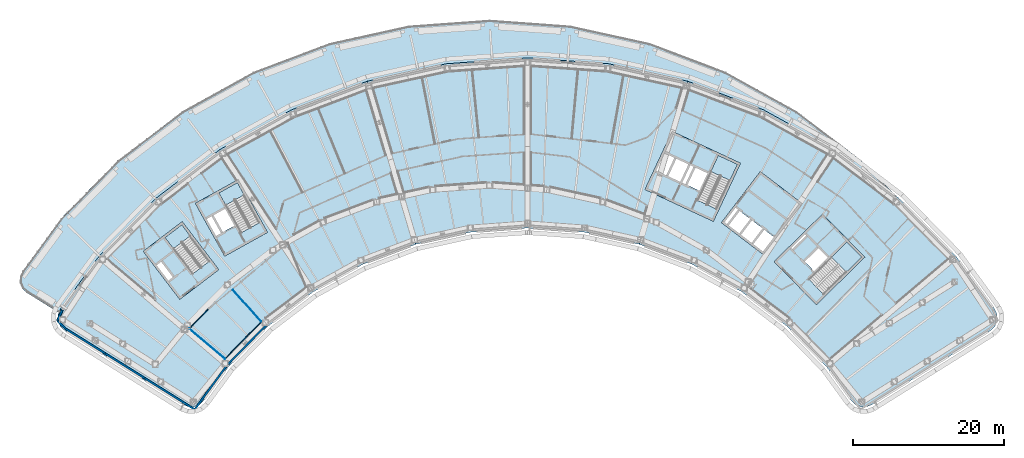
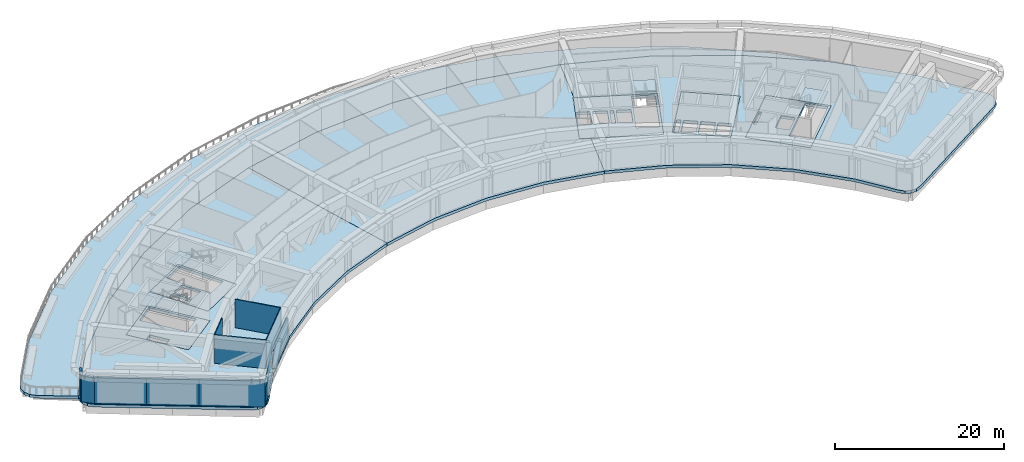
# One storey, part 6 of 24: 13 slabs, 11 walls, 4 elements without a shape of their own.
"""IFC4 building model written with IfcOpenShell, lengths in metres."""

from ifc_helpers import new_model, si_unit, direction, frame, frame_2d, origin, place, context, subcontext, project, spatial, polyline, rectangle, outline, extrude, material, layer, layer_set, type_object, element, aggregate, save


model = new_model("IFC4")

# Units and contexts
model_context = context("Model", 3, precision=1e-05, world=origin(), true_north=direction((0.0, 1.0)))
body_context = subcontext(model_context, "Body", "Model", "MODEL_VIEW")
ifc_project = project(units=[si_unit("LENGTHUNIT", "METRE"), si_unit("AREAUNIT", "SQUARE_METRE"), si_unit("VOLUMEUNIT", "CUBIC_METRE"), si_unit("PLANEANGLEUNIT", "RADIAN"), si_unit("MASSUNIT", "GRAM", prefix="KILO")], contexts=[model_context])

# Site, building, storey
site_placement = place(None, origin())
site = spatial("IfcSite", under=ifc_project, at=site_placement, CompositionType="ELEMENT")
building_placement = place(site_placement, origin())
building = spatial("IfcBuilding", under=site, at=building_placement, Name="Tuul Gate Civic Tower", CompositionType="ELEMENT")
storey_placement = place(building_placement, frame((0.0, 0.0, 94.800048828125)))
storey = spatial("IfcBuildingStorey", under=building, at=storey_placement, Name="Plant and refuge floor 3", CompositionType="ELEMENT", Elevation=94.800048828125)

# Slabs
ifc_material_1 = material(Name="Concrete C40/50", Category="concrete")
ifc_layer_1 = layer(ifc_material_1, 0.39990234375)
ifc_layer_set_1 = layer_set([ifc_layer_1], Name="Concrete C40/50")
slab_type_1 = type_object("IfcSlabType", Name="Core floor slab 400", PredefinedType="FLOOR", material=ifc_layer_set_1)
slab_1_placement = place(storey_placement, frame((0.0, 0.0, -0.400146484375)))
element("IfcSlab", 1, at=slab_1_placement, inside=storey, type_object=slab_type_1, Name="FLOOR SLAB", PredefinedType="FLOOR", context=body_context, shape_type="SweptSolid", body=[
    extrude(outline(polyline([(-31.10009765625, -13.7890625), (-35.946044921875, -7.423828125), (-41.11767578125, -11.361572265625), (-36.271484375, -17.726806640625), (-31.10009765625, -13.7890625)]), holes=[polyline([(-37.19287109375, -14.783203125), (-38.737548828125, -12.75439453125), (-39.45361328125, -13.299560546875), (-37.908935546875, -15.328369140625), (-37.19287109375, -14.783203125)]), polyline([(-32.33935546875, -12.65771484375), (-34.56591796875, -14.352783203125), (-38.229736328125, -9.54052734375), (-36.003173828125, -7.845458984375), (-32.33935546875, -12.65771484375)])]), origin(), (0.0, 0.0, 1.0), 0.400146484375),
])
slab_2_placement = place(storey_placement, frame((0.0, 0.0, -0.400146484375)))
element("IfcSlab", 2, at=slab_2_placement, inside=storey, type_object=slab_type_1, Name="FLOOR SLAB", PredefinedType="FLOOR", context=body_context, shape_type="SweptSolid", body=[
    extrude(outline(polyline([(-24.638916015625, -8.846923828125), (-28.51708984375, -1.849853515625), (-34.2021484375, -5.0009765625), (-30.32421875, -11.998046875), (-24.638916015625, -8.846923828125)]), holes=[polyline([(-29.0185546875, -7.958740234375), (-30.254638671875, -5.728515625), (-31.785400390625, -6.576904296875), (-30.54931640625, -8.80712890625), (-29.0185546875, -7.958740234375)]), polyline([(-30.8115234375, -8.95263671875), (-32.047607421875, -6.72216796875), (-32.8349609375, -7.158447265625), (-31.5986328125, -9.388916015625), (-30.8115234375, -8.95263671875)]), polyline([(-25.702392578125, -7.548828125), (-28.14990234375, -8.905517578125), (-31.08203125, -3.615234375), (-28.63427734375, -2.2587890625), (-25.702392578125, -7.548828125)])]), origin(), (0.0, 0.0, 1.0), 0.400146484375),
])
slab_3_placement = place(storey_placement, frame((0.0, 0.0, -0.400146484375)))
element("IfcSlab", 3, at=slab_3_placement, inside=storey, type_object=slab_type_1, Name="FLOOR SLAB", PredefinedType="FLOOR", context=body_context, shape_type="SweptSolid", body=[
    extrude(outline(polyline([(48.117919921875, -18.43310546875), (54.545166015625, -12.1328125), (48.945068359375, -6.419921875), (42.517822265625, -12.719970703125), (48.117919921875, -18.43310546875)]), holes=[polyline([(47.808837890625, -13.974853515625), (49.6298828125, -12.18994140625), (48.40478515625, -10.940185546875), (46.583984375, -12.72509765625), (47.808837890625, -13.974853515625)]), polyline([(44.93896484375, -11.046875), (46.760009765625, -9.261962890625), (46.514892578125, -9.011962890625), (44.69384765625, -10.797119140625), (44.93896484375, -11.046875)]), polyline([(49.086181640625, -17.062744140625), (47.12744140625, -15.064208984375), (52.160888671875, -10.130126953125), (54.11962890625, -12.128662109375), (49.086181640625, -17.062744140625)])]), origin(), (0.0, 0.0, 1.0), 0.400146484375),
])
slab_4_placement = place(storey_placement, frame((0.0, 0.0, -0.400146484375)))
element("IfcSlab", 4, at=slab_4_placement, inside=storey, type_object=slab_type_1, Name="FLOOR SLAB", PredefinedType="FLOOR", context=body_context, shape_type="SweptSolid", body=[
    extrude(outline(polyline([(34.465087890625, -7.385986328125), (38.056884765625, 0.31787109375), (28.993896484375, 4.543701171875), (25.40185546875, -3.159912109375), (34.465087890625, -7.385986328125)]), holes=[polyline([(32.60888671875, -3.32080078125), (33.6865234375, -1.009765625), (32.1005859375, -0.27001953125), (31.02294921875, -2.581298828125), (32.60888671875, -3.32080078125)]), polyline([(30.0712890625, -2.137451171875), (31.14892578125, 0.173583984375), (29.562744140625, 0.9130859375), (28.4853515625, -1.39794921875), (30.0712890625, -2.137451171875)]), polyline([(30.751220703125, -2.454345703125), (31.82861328125, -0.143310546875), (31.4208984375, 0.046875), (30.34326171875, -2.264404296875), (30.751220703125, -2.454345703125)]), polyline([(28.21337890625, -1.27099609375), (29.291015625, 1.0400390625), (27.8408203125, 1.71630859375), (26.76318359375, -0.594970703125), (28.21337890625, -1.27099609375)]), polyline([(34.889892578125, -5.7626953125), (32.353759765625, -4.580078125), (35.120849609375, 1.354736328125), (37.6572265625, 0.17236328125), (34.889892578125, -5.7626953125)])]), origin(), (0.0, 0.0, 1.0), 0.400146484375),
])
ifc_material_2 = material(Name="Concrete C40/50", Category="concrete")
ifc_layer_2 = layer(ifc_material_2, 0.39990234375)
ifc_layer_set_2 = layer_set([ifc_layer_2], Name="Concrete C40/50")
slab_type_2 = type_object("IfcSlabType", Name="Core floor slab 400 non-bearing", PredefinedType="FLOOR", material=ifc_layer_set_2)
slab_5_placement = place(storey_placement, frame((0.0, 0.0, -0.400146484375)))
element("IfcSlab", 5, at=slab_5_placement, inside=storey, type_object=slab_type_2, Name="FLOOR SLAB", PredefinedType="FLOOR", context=body_context, shape_type="SweptSolid", body=[
    extrude(outline(polyline([(41.10107421875, -11.797119140625), (46.25, -5.033935546875), (40.680908203125, -0.79296875), (35.531982421875, -7.555908203125), (41.10107421875, -11.797119140625)]), holes=[polyline([(41.044189453125, -11.37646484375), (42.497802734375, -9.467041015625), (41.22509765625, -8.49755859375), (39.77099609375, -10.4072265625), (41.044189453125, -11.37646484375)]), polyline([(39.532470703125, -10.225341796875), (40.986328125, -8.31591796875), (39.593994140625, -7.255615234375), (38.14013671875, -9.165283203125), (39.532470703125, -10.225341796875)]), polyline([(37.901611328125, -8.9833984375), (39.35546875, -7.073974609375), (37.963134765625, -6.013671875), (36.50927734375, -7.923095703125), (37.901611328125, -8.9833984375)]), polyline([(36.1796875, -7.860595703125), (37.724609375, -5.831787109375), (37.286865234375, -5.49853515625), (35.7421875, -7.527587890625), (36.1796875, -7.860595703125)])]), origin(), (0.0, 0.0, 1.0), 0.400146484375),
])

# Stair, slab
ifc_material_3 = material(Name="Concrete C40/50", Category="concrete")
stair_type = type_object("IfcStairType", Name="Exit stair", PredefinedType="HALF_TURN_STAIR", material=ifc_material_3)
stair_1_placement = place(storey_placement, origin())
stair_1 = element("IfcStair", 6, at=stair_1_placement, inside=storey, type_object=stair_type, Name="Plant and refuge floor 3 ST-1", PredefinedType="HALF_TURN_STAIR")
ifc_material_4 = material(Name="Concrete C40/50", Category="concrete")
ifc_layer_3 = layer(ifc_material_4, 0.199951171875)
ifc_layer_set_3 = layer_set([ifc_layer_3], Name="Concrete C40/50")
slab_type_3 = type_object("IfcSlabType", Name="Exit stair landing", PredefinedType="LANDING", material=ifc_layer_set_3)
slab_6_placement = place(storey_placement, frame((0.0, 0.0, 2.050048828125)))
slab_6 = element("IfcSlab", 7, at=slab_6_placement, type_object=slab_type_3, Name="ST-1 landing 1", PredefinedType="LANDING", context=body_context, shape_type="SweptSolid", body=[
    extrude(outline(polyline([(-34.88134765625, -9.31640625), (-37.1103515625, -11.013427734375), (-38.23193359375, -9.540283203125), (-36.0029296875, -7.843017578125), (-34.88134765625, -9.31640625)])), origin(), (0.0, 0.0, 1.0), 0.199951171875),
])
aggregate(stair_1, [slab_6])

stair_2_placement = place(storey_placement, origin())
stair_2 = element("IfcStair", 8, at=stair_2_placement, inside=storey, type_object=stair_type, Name="Plant and refuge floor 3 ST-2", PredefinedType="HALF_TURN_STAIR")
slab_7_placement = place(storey_placement, frame((0.0, 0.0, 2.050048828125)))
slab_7 = element("IfcSlab", 9, at=slab_7_placement, type_object=slab_type_3, Name="ST-2 landing 1", PredefinedType="LANDING", context=body_context, shape_type="SweptSolid", body=[
    extrude(outline(polyline([(-27.736083984375, -3.8759765625), (-30.1865234375, -5.234130859375), (-31.084228515625, -3.61474609375), (-28.6337890625, -2.256591796875), (-27.736083984375, -3.8759765625)])), origin(), (0.0, 0.0, 1.0), 0.199951171875),
])
aggregate(stair_2, [slab_7])

stair_3_placement = place(storey_placement, origin())
stair_3 = element("IfcStair", 10, at=stair_3_placement, inside=storey, type_object=stair_type, Name="Plant and refuge floor 3 ST-3", PredefinedType="HALF_TURN_STAIR")
slab_8_placement = place(storey_placement, frame((0.0, 0.0, 2.050048828125)))
slab_8 = element("IfcSlab", 11, at=slab_8_placement, type_object=slab_type_3, Name="ST-3 landing 1", PredefinedType="LANDING", context=body_context, shape_type="SweptSolid", body=[
    extrude(outline(polyline([(52.085693359375, -14.124755859375), (50.12451171875, -12.1240234375), (52.160888671875, -10.1279296875), (54.1220703125, -12.128662109375), (52.085693359375, -14.124755859375)])), origin(), (0.0, 0.0, 1.0), 0.199951171875),
])
aggregate(stair_3, [slab_8])

stair_4_placement = place(storey_placement, origin())
stair_4 = element("IfcStair", 12, at=stair_4_placement, inside=storey, type_object=stair_type, Name="Plant and refuge floor 3 ST-4", PredefinedType="HALF_TURN_STAIR")
slab_9_placement = place(storey_placement, frame((0.0, 0.0, 2.050048828125)))
slab_9 = element("IfcSlab", 13, at=slab_9_placement, type_object=slab_type_3, Name="ST-4 landing 1", PredefinedType="LANDING", context=body_context, shape_type="SweptSolid", body=[
    extrude(outline(polyline([(36.66552734375, -1.958251953125), (34.12646484375, -0.7744140625), (35.1201171875, 1.35693359375), (37.659423828125, 0.173095703125), (36.66552734375, -1.958251953125)])), origin(), (0.0, 0.0, 1.0), 0.199951171875),
])
aggregate(stair_4, [slab_9])

# Slabs
ifc_material_5 = material(Name="Concrete C35/45", Category="concrete")
ifc_layer_4 = layer(ifc_material_5, 0.39990234375)
ifc_layer_set_4 = layer_set([ifc_layer_4], Name="Concrete C35/45")
slab_type_4 = type_object("IfcSlabType", Name="STR-FLOOR-SLAB-400", PredefinedType="FLOOR", material=ifc_layer_set_4)
slab_10_placement = place(storey_placement, frame((0.0, 0.0, -0.400146484375)))
element("IfcSlab", 14, at=slab_10_placement, inside=storey, type_object=slab_type_4, Name="Plant and refuge floor 3/slab/W", PredefinedType="FLOOR", context=body_context, shape_type="SweptSolid", body=[
    extrude(outline(polyline([(-12.0048828125, -13.0830078125), (-4.985107421875, -10.427978515625), (-11.4189453125, 11.194091796875), (-21.488037109375, 7.385986328125), (-30.902099609375, 2.1669921875), (-39.467041015625, -4.35302734375), (-47.001953125, -12.0400390625), (-52.0830078125, -18.9970703125), (-52.4189453125, -19.739990234375), (-52.430908203125, -20.555908203125), (-52.116943359375, -21.30810546875), (-51.527099609375, -21.8720703125), (-35.797119140625, -31.701904296875), (-35.10302734375, -31.971923828125), (-34.35791015625, -31.968994140625), (-33.666015625, -31.694091796875), (-33.1220703125, -31.18505859375), (-29.79296875, -26.626953125), (-24.5400390625, -21.26806640625), (-18.569091796875, -16.720947265625), (-12.0048828125, -13.0830078125)]), holes=[polyline([(-31.10009765625, -13.7890625), (-36.27197265625, -17.72705078125), (-41.117919921875, -11.362060546875), (-35.946044921875, -7.424072265625), (-31.10009765625, -13.7890625)]), polyline([(-24.638916015625, -8.846923828125), (-30.323974609375, -11.998046875), (-34.201904296875, -5.0009765625), (-28.51708984375, -1.85009765625), (-24.638916015625, -8.846923828125)])]), origin(), (0.0, 0.0, 1.0), 0.400146484375),
])
slab_11_placement = place(storey_placement, frame((0.0, 0.0, -0.400146484375)))
element("IfcSlab", 15, at=slab_11_placement, inside=storey, type_object=slab_type_4, Name="Plant and refuge floor 3/slab/M", PredefinedType="FLOOR", context=body_context, shape_type="SweptSolid", body=[
    extrude(outline(polyline([(24.64306640625, -10.427978515625), (26.635009765625, -3.735107421875), (25.402099609375, -3.159912109375), (28.993896484375, 4.5439453125), (29.0859375, 4.5009765625), (31.076904296875, 11.194091796875), (20.56494140625, 13.510009765625), (9.8291015625, 14.2880859375), (-0.906982421875, 13.510009765625), (-11.4189453125, 11.194091796875), (-4.985107421875, -10.427978515625), (2.343994140625, -8.81298828125), (9.8291015625, -8.27099609375), (17.31396484375, -8.81298828125), (24.64306640625, -10.427978515625)])), origin(), (0.0, 0.0, 1.0), 0.400146484375),
])
slab_12_placement = place(storey_placement, frame((0.0, 0.0, -0.400146484375)))
element("IfcSlab", 16, at=slab_12_placement, inside=storey, type_object=slab_type_4, Name="Plant and refuge floor 3/slab/E", PredefinedType="FLOOR", context=body_context, shape_type="SweptSolid", body=[
    extrude(outline(polyline([(54.760986328125, -31.971923828125), (55.455078125, -31.701904296875), (71.18505859375, -21.8720703125), (71.77392578125, -21.30810546875), (72.089111328125, -20.555908203125), (72.076904296875, -19.739990234375), (71.739990234375, -18.9970703125), (66.659912109375, -12.0400390625), (59.1240234375, -4.35302734375), (50.56005859375, 2.1669921875), (41.14501953125, 7.385986328125), (31.076904296875, 11.194091796875), (29.0859375, 4.5009765625), (38.056884765625, 0.318115234375), (34.465087890625, -7.385986328125), (26.635009765625, -3.735107421875), (24.64306640625, -10.427978515625), (31.6630859375, -13.0830078125), (38.22607421875, -16.720947265625), (44.197021484375, -21.26806640625), (49.450927734375, -26.626953125), (52.780029296875, -31.18505859375), (53.323974609375, -31.694091796875), (54.01611328125, -31.968994140625), (54.760986328125, -31.971923828125)]), holes=[polyline([(48.117919921875, -18.43310546875), (42.51806640625, -12.719970703125), (48.945068359375, -6.419921875), (54.544921875, -12.133056640625), (48.117919921875, -18.43310546875)]), polyline([(35.531982421875, -7.555908203125), (40.680908203125, -0.79296875), (46.25, -5.033935546875), (41.10107421875, -11.797119140625), (35.531982421875, -7.555908203125)])]), origin(), (0.0, 0.0, 1.0), 0.400146484375),
])
ifc_material_6 = material(Name="Concrete C40/50", Category="concrete")
ifc_layer_5 = layer(ifc_material_6, 0.39990234375)
ifc_layer_set_5 = layer_set([ifc_layer_5], Name="Concrete C40/50")
slab_type_5 = type_object("IfcSlabType", Name="STR-TERRACE-SLAB-400", PredefinedType="ROOF", material=ifc_layer_set_5)
slab_13_placement = place(storey_placement, frame((0.0, 0.0, -0.400146484375)))
element("IfcSlab", 17, at=slab_13_placement, inside=storey, type_object=slab_type_5, Name="terrace 1", PredefinedType="ROOF", context=body_context, shape_type="SweptSolid", body=[
    extrude(outline(polyline([(-56.548095703125, -16.85205078125), (-57.136962890625, -16.2880859375), (-57.451904296875, -15.534912109375), (-57.43994140625, -14.718994140625), (-57.10302734375, -13.97607421875), (-52.02294921875, -7.02001953125), (-44.487060546875, 0.6669921875), (-35.923095703125, 7.18798828125), (-26.508056640625, 12.406982421875), (-16.43994140625, 16.214111328125), (-5.927978515625, 18.531005859375), (4.80810546875, 19.30810546875), (15.5439453125, 18.531005859375), (26.055908203125, 16.214111328125), (36.125, 12.406982421875), (45.5400390625, 7.18798828125), (54.10400390625, 0.6669921875), (58.732666015625, -4.05517578125), (50.56005859375, 2.1669921875), (41.14501953125, 7.385986328125), (31.076904296875, 11.194091796875), (20.56494140625, 13.510009765625), (9.8291015625, 14.2880859375), (-0.906982421875, 13.510009765625), (-11.4189453125, 11.194091796875), (-21.488037109375, 7.385986328125), (-30.902099609375, 2.1669921875), (-39.467041015625, -4.35302734375), (-47.001953125, -12.0400390625), (-52.0830078125, -18.9970703125), (-52.310302734375, -19.5), (-56.548095703125, -16.85205078125)])), origin(), (0.0, 0.0, 1.0), 0.400146484375),
])

# Walls
ifc_material_7 = material(Name="Precast concrete C40/50", Category="concrete")
ifc_layer_6 = layer(ifc_material_7, 0.25)
ifc_layer_set_6 = layer_set([ifc_layer_6], Name="Precast concrete C40/50")
wall_type_1 = type_object("IfcWallType", Name="External wall", PredefinedType="STANDARD", material=ifc_layer_set_6)
wall_1_placement = place(storey_placement, frame((-51.84814453125, -19.136474609375, 0.0), z_axis=(0.0, 0.0, 1.0), x_axis=(-0.411823957852, -0.911263423901, 0.0)))
element("IfcWall", 18, at=wall_1_placement, inside=storey, type_object=wall_type_1, Name="External wall", PredefinedType="STANDARD", context=body_context, shape_type="SweptSolid", body=[
    extrude(rectangle(XDim=1.571533203125, YDim=0.25, at=frame_2d((0.78564453125, 0.0))), origin(), (0.0, 0.0, 1.0), 3.75),
])
wall_2_placement = place(storey_placement, frame((-52.495361328125, -20.568603515625, 0.0), z_axis=(0.0, 0.0, 1.0), x_axis=(0.722104708319, -0.691783774184, 0.0)))
element("IfcWall", 19, at=wall_2_placement, inside=storey, type_object=wall_type_1, Name="External wall", PredefinedType="STANDARD", context=body_context, shape_type="SweptSolid", body=[
    extrude(rectangle(XDim=1.570068359375, YDim=0.25, at=frame_2d((0.78515625, 0.0))), origin(), (0.0, 0.0, 1.0), 3.75),
])
for number, where, z_axis, x_axis, name in (
    (20, (-51.3818359375, -21.638916015625, 0.0), (0.0, 0.0, 1.0), (0.848053758074, -0.529910203164, 0.0), "External wall"),
    (21, (-46.138427734375, -24.915283203125, 0.0), (0.0, 0.0, 1.0), (0.848053758074, -0.529910203164, 0.0), "External wall"),
):
    element("IfcWall", number, at=place(storey_placement, frame(where, z_axis=z_axis, x_axis=x_axis)), inside=storey, type_object=wall_type_1, Name=name, PredefinedType="STANDARD", context=body_context, shape_type="SweptSolid", body=[
        extrude(rectangle(XDim=6.182861328125, YDim=0.25, at=frame_2d((3.09130859375, 0.0))), origin(), (0.0, 0.0, 1.0), 3.75),
    ])
wall_3_placement = place(storey_placement, frame((-40.89501953125, -28.191650390625, 0.0), z_axis=(0.0, 0.0, 1.0), x_axis=(0.848044094411, -0.529925668311, 0.0)))
element("IfcWall", 22, at=wall_3_placement, inside=storey, type_object=wall_type_1, Name="External wall", PredefinedType="STANDARD", context=body_context, shape_type="SweptSolid", body=[
    extrude(rectangle(XDim=7.787353515625, YDim=0.25, at=frame_2d((3.8935546875, 0.0))), origin(), (0.0, 0.0, 1.0), 3.75),
])
ifc_material_8 = material(Name="Precast concrete C40/50", Category="concrete")
ifc_layer_7 = layer(ifc_material_8, 0.25)
ifc_layer_set_7 = layer_set([ifc_layer_7], Name="Precast concrete C40/50")
wall_type_2 = type_object("IfcWallType", Name="External wall 2700 HIGH", PredefinedType="STANDARD", material=ifc_layer_set_7)
wall_4_placement = place(storey_placement, frame((-34.291015625, -32.318359375, 0.0), z_axis=(0.0, 0.0, 1.0), x_axis=(0.589862560434, 0.807503659309, 0.0)))
element("IfcWall", 23, at=wall_4_placement, inside=storey, type_object=wall_type_2, Name="External wall", PredefinedType="STANDARD", context=body_context, shape_type="SweptSolid", body=[
    extrude(rectangle(XDim=7.034423828125, YDim=0.25, at=frame_2d((3.51708984375, 0.0))), origin(), (0.0, 0.0, 1.0), 2.699951171875),
])
wall_5_placement = place(storey_placement, frame((-29.85205078125, -26.294189453125, 0.0), z_axis=(0.0, 0.0, 1.0), x_axis=(0.700049781876, 0.714094043454, 0.0)))
element("IfcWall", 24, at=wall_5_placement, inside=storey, type_object=wall_type_2, Name="External wall", PredefinedType="STANDARD", context=body_context, shape_type="SweptSolid", body=[
    extrude(rectangle(XDim=7.10986328125, YDim=0.25, at=frame_2d((3.554931640625, 0.0))), origin(), (0.0, 0.0, 1.0), 2.699951171875),
])
ifc_material_9 = material(Name="Gypsum board partition")
ifc_layer_8 = layer(ifc_material_9, 0.10009765625)
ifc_layer_set_8 = layer_set([ifc_layer_8], Name="Gypsum board partition")
wall_type_3 = type_object("IfcWallType", Name="Partition P100", PredefinedType="PARTITIONING", material=ifc_layer_set_8)
wall_6_placement = place(storey_placement, frame((-29.206298828125, -16.47705078125, 0.0), z_axis=(0.0, 0.0, 1.0), x_axis=(0.665903250978, -0.746038109172, 0.0)))
element("IfcWall", 25, at=wall_6_placement, inside=storey, type_object=wall_type_3, Name="p041", PredefinedType="PARTITIONING", context=body_context, shape_type="SweptSolid", body=[
    extrude(rectangle(XDim=5.605712890625, YDim=0.10009765625, at=frame_2d((2.802734375, 0.0))), origin(), (0.0, 0.0, 1.0), 4.099853515625),
])
wall_7_placement = place(storey_placement, frame((-25.53173828125, -20.77978515625, 0.0), z_axis=(0.0, 0.0, 1.0), x_axis=(-0.700017433589, -0.714125754102, 0.0)))
element("IfcWall", 26, at=wall_7_placement, inside=storey, type_object=wall_type_3, Name="p113", PredefinedType="PARTITIONING", context=body_context, shape_type="SweptSolid", body=[
    extrude(rectangle(XDim=6.783447265625, YDim=0.10009765625, at=frame_2d((3.3916015625, 0.0))), origin(), (0.0, 0.0, 1.0), 4.099853515625),
])
wall_8_placement = place(storey_placement, frame((-30.2802734375, -25.6240234375, 0.0), z_axis=(0.0, 0.0, 1.0), x_axis=(-0.762844288257, 0.646582239064, 0.0)))
element("IfcWall", 27, at=wall_8_placement, inside=storey, type_object=wall_type_3, Name="p114", PredefinedType="PARTITIONING", context=body_context, shape_type="SweptSolid", body=[
    extrude(rectangle(XDim=6.205322265625, YDim=0.10009765625, at=frame_2d((3.1025390625, 0.0))), origin(), (0.0, 0.0, 1.0), 4.099853515625),
])
wall_9_placement = place(storey_placement, frame((-34.937744140625, -21.518798828125, 0.0), z_axis=(0.0, 0.0, 1.0), x_axis=(0.700011001813, 0.714132058754, 0.0)))
element("IfcWall", 28, at=wall_9_placement, inside=storey, type_object=wall_type_3, Name="p115", PredefinedType="PARTITIONING", context=body_context, shape_type="SweptSolid", body=[
    extrude(rectangle(XDim=3.47509765625, YDim=0.10009765625, at=frame_2d((1.737548828125, 0.0))), origin(), (0.0, 0.0, 1.0), 4.099853515625),
])

save(model, "model.ifc")
